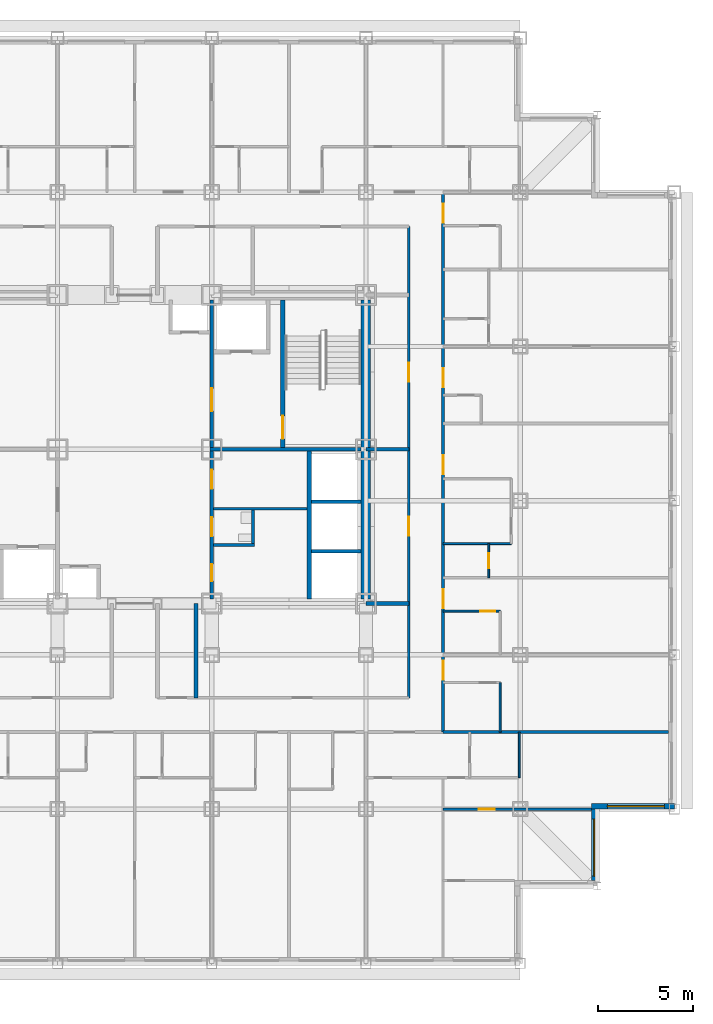
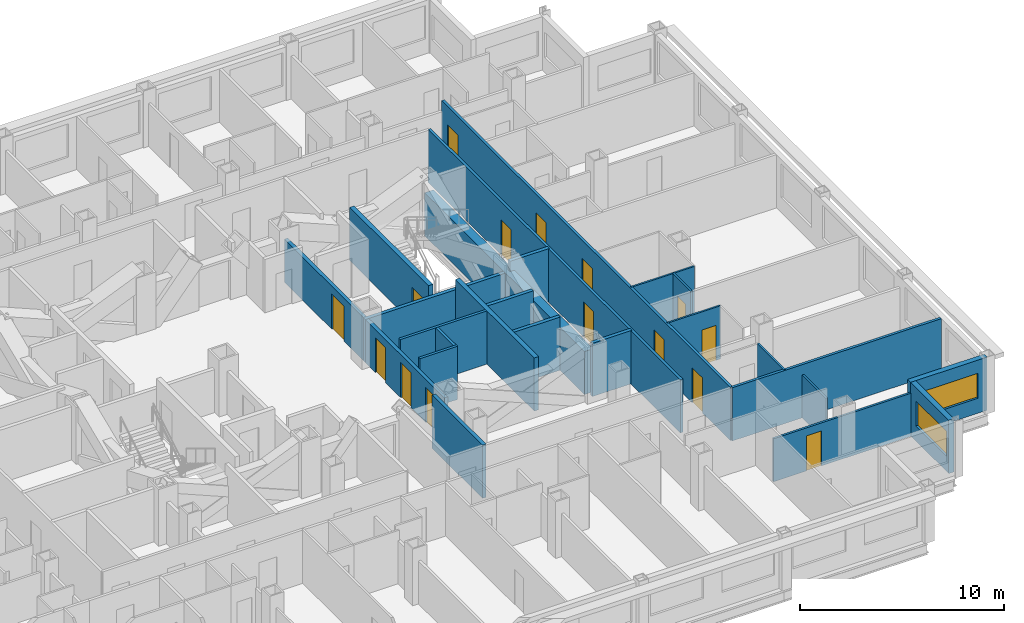
# One storey, part 8 of 14: 25 walls, 15 doors, 2 windows, 17 openings.
"""IFC4 building model written with IfcOpenShell, lengths in metres."""

from ifc_helpers import new_model, si_unit, direction, frame, frame_2d, origin, place, context, subcontext, project, spatial, rectangle, extrude, material, layer, layer_set, type_object, element, fill, save


model = new_model("IFC4")

# Units and contexts
model_context = context("Model", 3, precision=1e-05, world=origin(), true_north=direction((0.0, 1.0)))
body_context = subcontext(model_context, "Body", "Model", "MODEL_VIEW")
ifc_project = project(units=[si_unit("LENGTHUNIT", "METRE"), si_unit("AREAUNIT", "SQUARE_METRE"), si_unit("VOLUMEUNIT", "CUBIC_METRE"), si_unit("PLANEANGLEUNIT", "RADIAN"), si_unit("MASSUNIT", "GRAM", prefix="KILO")], contexts=[model_context])

# Site, building, storey
site_placement = place(None, origin())
site = spatial("IfcSite", under=ifc_project, at=site_placement, CompositionType="ELEMENT")
building_placement = place(site_placement, origin())
building = spatial("IfcBuilding", under=site, at=building_placement, Name="Kopane Lantern Tower", CompositionType="ELEMENT")
storey_placement = place(building_placement, frame((0.0, 0.0, 137.39990234375)))
storey = spatial("IfcBuildingStorey", under=building, at=storey_placement, Name="L35", CompositionType="ELEMENT", Elevation=137.39990234375)

# Wall, opening, door
ifc_material_1 = material(Name="Gypsum board on steel studs", Category="steel")
ifc_layer_1 = layer(ifc_material_1, 0.1201171875)
ifc_layer_set_1 = layer_set([ifc_layer_1], Name="APARTMENT INTERNAL WALL 120")
wall_type_1 = type_object("IfcWallType", Name="APARTMENT INTERNAL WALL 120", PredefinedType="PARTITIONING", material=ifc_layer_set_1)
wall_1_placement = place(storey_placement, frame((44.550048828125, 13.5, 0.0), z_axis=(0.0, 0.0, 1.0), x_axis=(1.0, 0.0, 0.0)))
wall_1 = element("IfcWall", 1, at=wall_1_placement, inside=storey, type_object=wall_type_1, Name="Apartment Internal Wall 120 L35", PredefinedType="PARTITIONING", context=body_context, shape_type="SweptSolid", body=[
    extrude(rectangle(XDim=7.800048828125, YDim=0.1201171875, at=frame_2d((3.89990234375, 0.0))), origin(), (0.0, 0.0, 1.0), 2.577880859375),
])
opening_1_placement = place(wall_1_placement, frame((1.875, 0.0, 0.0)))
opening_1 = element("IfcOpeningElement", 2, at=opening_1_placement, cuts=wall_1, Name="Opening L35-079", PredefinedType="OPENING", context=body_context, shape_type="SweptSolid", body=[
    extrude(rectangle(XDim=0.85009765625, YDim=2.10009765625, at=frame_2d((0.425048828125, 1.050048828125))), frame((0.0, 0.070068359375, 0.0), z_axis=(0.0, -1.0, 0.0), x_axis=(1.0, 0.0, 0.0)), (0.0, 0.0, 1.0), 0.14013671875),
])
ifc_material_2 = material(Name="Timber door set", Category="wood")
door_type_1 = type_object("IfcDoorType", Name="DOOR D4 850x2100", OperationType="SINGLE_SWING_LEFT", PredefinedType="DOOR", material=ifc_material_2)
door_1_placement = place(opening_1_placement, origin())
door_1 = element("IfcDoor", 3, at=door_1_placement, inside=storey, type_object=door_type_1, Name="Door L35-079", OperationType="SINGLE_SWING_LEFT", OverallHeight=2.10009765625, OverallWidth=0.85009765625, PredefinedType="DOOR", context=body_context, shape_type="SweptSolid", body=[
    extrude(rectangle(XDim=0.85009765625, YDim=2.10009765625, at=frame_2d((0.425048828125, 1.050048828125))), frame((0.0, 0.02490234375, 0.0), z_axis=(0.0, -1.0, 0.0), x_axis=(1.0, 0.0, 0.0)), (0.0, 0.0, 1.0), 0.050048828125),
])
fill(opening_1, door_1)

# Wall
ifc_material_3 = material(Name="Moisture-resistant board on steel studs", Category="steel")
ifc_layer_2 = layer(ifc_material_3, 0.10009765625)
ifc_layer_set_2 = layer_set([ifc_layer_2], Name="BATHROOM WALL 100")
wall_type_2 = type_object("IfcWallType", Name="BATHROOM WALL 100", PredefinedType="PARTITIONING", material=ifc_layer_set_2)
wall_2_placement = place(storey_placement, frame((47.550048828125, 17.550048828125, 0.0), z_axis=(0.0, 0.0, 1.0), x_axis=(0.0, 1.0, 0.0)))
element("IfcWall", 4, at=wall_2_placement, inside=storey, type_object=wall_type_2, Name="Bathroom Wall 100 L35", PredefinedType="PARTITIONING", context=body_context, shape_type="SweptSolid", body=[
    extrude(rectangle(XDim=2.599853515625, YDim=0.10009765625, at=frame_2d((1.2998046875, 0.0))), origin(), (0.0, 0.0, 1.0), 3.190185546875),
])

# Wall, opening, door
wall_3_placement = place(storey_placement, frame((44.550048828125, 23.89990234375, 0.0), z_axis=(0.0, 0.0, 1.0), x_axis=(1.0, 0.0, 0.0)))
wall_3 = element("IfcWall", 5, at=wall_3_placement, inside=storey, type_object=wall_type_2, Name="Bathroom Wall 100 L35", PredefinedType="PARTITIONING", context=body_context, shape_type="SweptSolid", body=[
    extrude(rectangle(XDim=3.0, YDim=0.10009765625, at=frame_2d((1.5, 0.0))), origin(), (0.0, 0.0, 1.0), 3.190185546875),
])
opening_2_placement = place(wall_3_placement, frame((1.949951171875, 0.0, 0.0)))
opening_2 = element("IfcOpeningElement", 6, at=opening_2_placement, cuts=wall_3, Name="Opening L35-059", PredefinedType="OPENING", context=body_context, shape_type="SweptSolid", body=[
    extrude(rectangle(XDim=0.800048828125, YDim=2.10009765625, at=frame_2d((0.39990234375, 1.050048828125))), frame((0.0, 0.06005859375, 0.0), z_axis=(0.0, -1.0, 0.0), x_axis=(1.0, 0.0, 0.0)), (0.0, 0.0, 1.0), 0.1201171875),
])
ifc_material_4 = material(Name="Timber door set", Category="wood")
door_type_2 = type_object("IfcDoorType", Name="DOOR D2 800x2100", OperationType="SINGLE_SWING_LEFT", PredefinedType="DOOR", material=ifc_material_4)
door_2_placement = place(opening_2_placement, origin())
door_2 = element("IfcDoor", 7, at=door_2_placement, inside=storey, type_object=door_type_2, Name="Door L35-059", OperationType="SINGLE_SWING_LEFT", OverallHeight=2.10009765625, OverallWidth=0.800048828125, PredefinedType="DOOR", context=body_context, shape_type="SweptSolid", body=[
    extrude(rectangle(XDim=0.800048828125, YDim=2.10009765625, at=frame_2d((0.39990234375, 1.050048828125))), frame((0.0, 0.02490234375, 0.0), z_axis=(0.0, -1.0, 0.0), x_axis=(1.0, 0.0, 0.0)), (0.0, 0.0, 1.0), 0.050048828125),
])
fill(opening_2, door_2)

wall_4_placement = place(storey_placement, frame((46.949951171875, 25.64990234375, 0.0), z_axis=(0.0, 0.0, 1.0), x_axis=(0.0, 1.0, 0.0)))
wall_4 = element("IfcWall", 8, at=wall_4_placement, inside=storey, type_object=wall_type_2, Name="Bathroom Wall 100 L35", PredefinedType="PARTITIONING", context=body_context, shape_type="SweptSolid", body=[
    extrude(rectangle(XDim=1.800048828125, YDim=0.10009765625, at=frame_2d((0.89990234375, 0.0))), origin(), (0.0, 0.0, 1.0), 3.190185546875),
])
opening_3_placement = place(wall_4_placement, frame((0.5, 0.0, 0.0)))
opening_3 = element("IfcOpeningElement", 9, at=opening_3_placement, cuts=wall_4, Name="Opening L35-062", PredefinedType="OPENING", context=body_context, shape_type="SweptSolid", body=[
    extrude(rectangle(XDim=0.800048828125, YDim=2.10009765625, at=frame_2d((0.39990234375, 1.050048828125))), frame((0.0, 0.06005859375, 0.0), z_axis=(0.0, -1.0, 0.0), x_axis=(1.0, 0.0, 0.0)), (0.0, 0.0, 1.0), 0.1201171875),
])
door_3_placement = place(opening_3_placement, origin())
door_3 = element("IfcDoor", 10, at=door_3_placement, inside=storey, type_object=door_type_2, Name="Door L35-062", OperationType="SINGLE_SWING_RIGHT", OverallHeight=2.10009765625, OverallWidth=0.800048828125, PredefinedType="DOOR", context=body_context, shape_type="SweptSolid", body=[
    extrude(rectangle(XDim=0.800048828125, YDim=2.10009765625, at=frame_2d((0.39990234375, 1.050048828125))), frame((0.0, 0.02490234375, 0.0), z_axis=(0.0, -1.0, 0.0), x_axis=(1.0, 0.0, 0.0)), (0.0, 0.0, 1.0), 0.050048828125),
])
fill(opening_3, door_3)

# Walls
wall_5_placement = place(storey_placement, frame((44.550048828125, 27.449951171875, 0.0), z_axis=(0.0, 0.0, 1.0), x_axis=(1.0, 0.0, 0.0)))
element("IfcWall", 11, at=wall_5_placement, inside=storey, type_object=wall_type_2, Name="Bathroom Wall 100 L35", PredefinedType="PARTITIONING", context=body_context, shape_type="SweptSolid", body=[
    extrude(rectangle(XDim=3.58984375, YDim=0.10009765625, at=frame_2d((1.794921875, 0.0))), origin(), (0.0, 0.0, 1.0), 3.190185546875),
])
wall_6_placement = place(storey_placement, frame((48.550048828125, 17.550048828125, 0.0), z_axis=(0.0, 0.0, 1.0), x_axis=(0.0, -1.0, 0.0)))
element("IfcWall", 12, at=wall_6_placement, inside=storey, type_object=wall_type_2, Name="Bathroom Wall 100 L35", PredefinedType="PARTITIONING", context=body_context, shape_type="SweptSolid", body=[
    extrude(rectangle(XDim=2.400146484375, YDim=0.10009765625, at=frame_2d((1.2001953125, 0.0))), origin(), (0.0, 0.0, 1.0), 2.577880859375),
])
ifc_material_5 = material(Name="Gypsum shaft wall EI 120", Category="gypsum")
ifc_layer_3 = layer(ifc_material_5, 0.5)
ifc_layer_set_3 = layer_set([ifc_layer_3], Name="CORE PERIMETER WALL 500 EI 120")
wall_type_3 = type_object("IfcWallType", Name="CORE PERIMETER WALL 500 EI 120", PredefinedType="SOLIDWALL", material=ifc_layer_set_3)
wall_7_placement = place(storey_placement, frame((40.5, 24.550048828125, 0.0), z_axis=(0.0, 0.0, 1.0), x_axis=(0.0, 1.0, 0.0)))
element("IfcWall", 13, at=wall_7_placement, inside=storey, type_object=wall_type_3, Name="Core shaft wall L35 PE", PredefinedType="SOLIDWALL", context=body_context, shape_type="SweptSolid", body=[
    extrude(rectangle(XDim=15.699951171875, YDim=0.5, at=frame_2d((7.85009765625, 0.0))), origin(), (0.0, 0.0, 1.0), 2.577880859375),
])
ifc_material_6 = material(Name="Gypsum partition EI 60", Category="gypsum")
ifc_layer_4 = layer(ifc_material_6, 0.14990234375)
ifc_layer_set_4 = layer_set([ifc_layer_4], Name="CORE ROOM PARTITION 150 EI 60")
wall_type_4 = type_object("IfcWallType", Name="CORE ROOM PARTITION 150 EI 60", PredefinedType="PARTITIONING", material=ifc_layer_set_4)
wall_8_placement = place(storey_placement, frame((32.5, 27.375, 0.0), z_axis=(0.0, 0.0, 1.0), x_axis=(1.0, 0.0, 0.0)))
element("IfcWall", 14, at=wall_8_placement, inside=storey, type_object=wall_type_4, Name="Core room partition L35 E1", PredefinedType="PARTITIONING", context=body_context, shape_type="SweptSolid", body=[
    extrude(rectangle(XDim=2.14990234375, YDim=0.14990234375, at=frame_2d((1.074951171875, 0.0))), origin(), (0.0, 0.0, 1.0), 3.190185546875),
])
wall_9_placement = place(storey_placement, frame((32.5, 29.27490234375, 0.0), z_axis=(0.0, 0.0, 1.0), x_axis=(1.0, 0.0, 0.0)))
element("IfcWall", 15, at=wall_9_placement, inside=storey, type_object=wall_type_4, Name="Core room partition L35 E2", PredefinedType="PARTITIONING", context=body_context, shape_type="SweptSolid", body=[
    extrude(rectangle(XDim=4.89990234375, YDim=0.14990234375, at=frame_2d((2.449951171875, 0.0))), origin(), (0.0, 0.0, 1.0), 3.190185546875),
])
wall_10_placement = place(storey_placement, frame((34.574951171875, 27.449951171875, 0.0), z_axis=(0.0, 0.0, 1.0), x_axis=(0.0, 1.0, 0.0)))
element("IfcWall", 16, at=wall_10_placement, inside=storey, type_object=wall_type_4, Name="Core room partition L35 EB1", PredefinedType="PARTITIONING", context=body_context, shape_type="SweptSolid", body=[
    extrude(rectangle(XDim=1.75, YDim=0.14990234375, at=frame_2d((0.875, 0.0))), origin(), (0.0, 0.0, 1.0), 3.190185546875),
])

# Wall, openings, doors
ifc_material_7 = material(Name="Gypsum partition EI 60", Category="gypsum")
ifc_layer_5 = layer(ifc_material_7, 0.199951171875)
ifc_layer_set_5 = layer_set([ifc_layer_5], Name="CORE ROOM WALL 200 EI 60")
wall_type_5 = type_object("IfcWallType", Name="CORE ROOM WALL 200 EI 60", PredefinedType="PARTITIONING", material=ifc_layer_set_5)
wall_11_placement = place(storey_placement, frame((32.39990234375, 24.550048828125, 0.0), z_axis=(0.0, 0.0, 1.0), x_axis=(0.0, 1.0, 0.0)))
wall_11 = element("IfcWall", 17, at=wall_11_placement, inside=storey, type_object=wall_type_5, Name="Core room wall L35 XE", PredefinedType="PARTITIONING", context=body_context, shape_type="SweptSolid", body=[
    extrude(rectangle(XDim=7.75, YDim=0.199951171875, at=frame_2d((3.875, 0.0))), origin(), (0.0, 0.0, 1.0), 2.577880859375),
])
opening_4_placement = place(wall_11_placement, frame((0.925048828125, 0.0, 0.0)))
opening_4 = element("IfcOpeningElement", 18, at=opening_4_placement, cuts=wall_11, Name="Opening 35.C20", PredefinedType="OPENING", context=body_context, shape_type="SweptSolid", body=[
    extrude(rectangle(XDim=0.89990234375, YDim=2.10009765625, at=frame_2d((0.449951171875, 1.050048828125))), frame((0.0, 0.10986328125, 0.0), z_axis=(0.0, -1.0, 0.0), x_axis=(1.0, 0.0, 0.0)), (0.0, 0.0, 1.0), 0.219970703125),
])
opening_5_placement = place(wall_11_placement, frame((3.27490234375, 0.0, 0.0)))
opening_5 = element("IfcOpeningElement", 19, at=opening_5_placement, cuts=wall_11, Name="Opening 35.C21", PredefinedType="OPENING", context=body_context, shape_type="SweptSolid", body=[
    extrude(rectangle(XDim=1.0, YDim=2.10009765625, at=frame_2d((0.5, 1.050048828125))), frame((0.0, 0.10986328125, 0.0), z_axis=(0.0, -1.0, 0.0), x_axis=(1.0, 0.0, 0.0)), (0.0, 0.0, 1.0), 0.219970703125),
])
opening_6_placement = place(wall_11_placement, frame((5.77490234375, 0.0, 0.0)))
opening_6 = element("IfcOpeningElement", 20, at=opening_6_placement, cuts=wall_11, Name="Opening 35.C22", PredefinedType="OPENING", context=body_context, shape_type="SweptSolid", body=[
    extrude(rectangle(XDim=1.0, YDim=2.10009765625, at=frame_2d((0.5, 1.050048828125))), frame((0.0, 0.10986328125, 0.0), z_axis=(0.0, -1.0, 0.0), x_axis=(1.0, 0.0, 0.0)), (0.0, 0.0, 1.0), 0.219970703125),
])
ifc_material_8 = material(Name="Steel door set", Category="steel")
door_type_3 = type_object("IfcDoorType", Name="CORE ROOM DOOR 1000x2100 FD30S", OperationType="SINGLE_SWING_RIGHT", PredefinedType="DOOR", material=ifc_material_8)
door_4_placement = place(opening_5_placement, origin())
door_4 = element("IfcDoor", 21, at=door_4_placement, inside=storey, type_object=door_type_3, Name="Door Staff WC L35", OperationType="SINGLE_SWING_LEFT", OverallHeight=2.10009765625, OverallWidth=1.0, PredefinedType="DOOR", context=body_context, shape_type="SweptSolid", body=[
    extrude(rectangle(XDim=1.0, YDim=2.10009765625, at=frame_2d((0.5, 1.050048828125))), frame((0.0, 0.02490234375, 0.0), z_axis=(0.0, -1.0, 0.0), x_axis=(1.0, 0.0, 0.0)), (0.0, 0.0, 1.0), 0.050048828125),
])
fill(opening_5, door_4)
door_5_placement = place(opening_6_placement, origin())
door_5 = element("IfcDoor", 22, at=door_5_placement, inside=storey, type_object=door_type_3, Name="Door Butler pantry L35", OperationType="SINGLE_SWING_RIGHT", OverallHeight=2.10009765625, OverallWidth=1.0, PredefinedType="DOOR", context=body_context, shape_type="SweptSolid", body=[
    extrude(rectangle(XDim=1.0, YDim=2.10009765625, at=frame_2d((0.5, 1.050048828125))), frame((0.0, 0.02490234375, 0.0), z_axis=(0.0, -1.0, 0.0), x_axis=(1.0, 0.0, 0.0)), (0.0, 0.0, 1.0), 0.050048828125),
])
fill(opening_6, door_5)
ifc_material_9 = material(Name="Steel door set", Category="steel")
door_type_4 = type_object("IfcDoorType", Name="CORE ROOM DOOR 900x2100 FD60", OperationType="SINGLE_SWING_LEFT", PredefinedType="DOOR", material=ifc_material_9)
door_6_placement = place(opening_4_placement, origin())
door_6 = element("IfcDoor", 23, at=door_6_placement, inside=storey, type_object=door_type_4, Name="Door Luggage store L35", OperationType="SINGLE_SWING_LEFT", OverallHeight=2.10009765625, OverallWidth=0.89990234375, PredefinedType="DOOR", context=body_context, shape_type="SweptSolid", body=[
    extrude(rectangle(XDim=0.89990234375, YDim=2.10009765625, at=frame_2d((0.449951171875, 1.050048828125))), frame((0.0, 0.02490234375, 0.0), z_axis=(0.0, -1.0, 0.0), x_axis=(1.0, 0.0, 0.0)), (0.0, 0.0, 1.0), 0.050048828125),
])
fill(opening_4, door_6)

# Wall
ifc_material_10 = material(Name="Gypsum shaft wall EI 120", Category="gypsum")
ifc_layer_6 = layer(ifc_material_10, 0.25)
ifc_layer_set_6 = layer_set([ifc_layer_6], Name="CORE SHAFT WALL 250 EI 120")
wall_type_6 = type_object("IfcWallType", Name="CORE SHAFT WALL 250 EI 120", PredefinedType="SOLIDWALL", material=ifc_layer_set_6)
wall_12_placement = place(storey_placement, frame((37.52490234375, 24.550048828125, 0.0), z_axis=(0.0, 0.0, 1.0), x_axis=(0.0, 1.0, 0.0)))
element("IfcWall", 24, at=wall_12_placement, inside=storey, type_object=wall_type_6, Name="Core shaft wall L35 XLR", PredefinedType="SOLIDWALL", context=body_context, shape_type="SweptSolid", body=[
    extrude(rectangle(XDim=7.75, YDim=0.25, at=frame_2d((3.875, 0.0))), origin(), (0.0, 0.0, 1.0), 3.190185546875),
])

# Wall, opening, door
wall_13_placement = place(storey_placement, frame((36.125, 32.5, 0.0), z_axis=(0.0, 0.0, 1.0), x_axis=(0.0, 1.0, 0.0)))
wall_13 = element("IfcWall", 25, at=wall_13_placement, inside=storey, type_object=wall_type_6, Name="Core shaft wall L35 XST2", PredefinedType="SOLIDWALL", context=body_context, shape_type="SweptSolid", body=[
    extrude(rectangle(XDim=7.75, YDim=0.25, at=frame_2d((3.875, 0.0))), origin(), (0.0, 0.0, 1.0), 3.190185546875),
])
opening_7_placement = place(wall_13_placement, frame((0.449951171875, 0.0, 0.0)))
opening_7 = element("IfcOpeningElement", 26, at=opening_7_placement, cuts=wall_13, Name="Opening 35.SD2", PredefinedType="OPENING", context=body_context, shape_type="SweptSolid", body=[
    extrude(rectangle(XDim=1.199951171875, YDim=2.10009765625, at=frame_2d((0.60009765625, 1.050048828125))), frame((0.0, 0.135009765625, 0.0), z_axis=(0.0, -1.0, 0.0), x_axis=(1.0, 0.0, 0.0)), (0.0, 0.0, 1.0), 0.27001953125),
])
ifc_material_11 = material(Name="Steel door set", Category="steel")
door_type_5 = type_object("IfcDoorType", Name="STAIR DOOR 1200x2100 FD60S", OperationType="SINGLE_SWING_LEFT", PredefinedType="DOOR", material=ifc_material_11)
door_7_placement = place(opening_7_placement, origin())
door_7 = element("IfcDoor", 27, at=door_7_placement, inside=storey, type_object=door_type_5, Name="Stair door ST2 L35", OperationType="SINGLE_SWING_RIGHT", OverallHeight=2.10009765625, OverallWidth=1.199951171875, PredefinedType="DOOR", context=body_context, shape_type="SweptSolid", body=[
    extrude(rectangle(XDim=1.199951171875, YDim=2.10009765625, at=frame_2d((0.60009765625, 1.050048828125))), frame((0.0, 0.02490234375, 0.0), z_axis=(0.0, -1.0, 0.0), x_axis=(1.0, 0.0, 0.0)), (0.0, 0.0, 1.0), 0.050048828125),
])
fill(opening_7, door_7)

# Wall, openings, doors
ifc_material_12 = material(Name="Gypsum board on steel studs", Category="steel")
ifc_layer_7 = layer(ifc_material_12, 0.14990234375)
ifc_layer_set_7 = layer_set([ifc_layer_7], Name="CORRIDOR WALL 150 EI 60")
wall_type_7 = type_object("IfcWallType", Name="CORRIDOR WALL 150 EI 60", PredefinedType="PARTITIONING", material=ifc_layer_set_7)
wall_14_placement = place(storey_placement, frame((44.550048828125, 17.550048828125, 0.0), z_axis=(0.0, 0.0, 1.0), x_axis=(0.0, 1.0, 0.0)))
wall_14 = element("IfcWall", 28, at=wall_14_placement, inside=storey, type_object=wall_type_7, Name="Corridor Wall 150 Ei 60 L35", PredefinedType="PARTITIONING", context=body_context, shape_type="SweptSolid", body=[
    extrude(rectangle(XDim=28.349853515625, YDim=0.14990234375, at=frame_2d((14.1748046875, 0.0))), origin(), (0.0, 0.0, 1.0), 3.190185546875),
])
opening_8_placement = place(wall_14_placement, frame((2.75, 0.0, 0.0)))
opening_8 = element("IfcOpeningElement", 29, at=opening_8_placement, cuts=wall_14, Name="Opening L35-058", PredefinedType="OPENING", context=body_context, shape_type="SweptSolid", body=[
    extrude(rectangle(XDim=1.0, YDim=2.10009765625, at=frame_2d((0.5, 1.050048828125))), frame((0.0, 0.0849609375, 0.0), z_axis=(0.0, -1.0, 0.0), x_axis=(1.0, 0.0, 0.0)), (0.0, 0.0, 1.0), 0.169921875),
])
opening_9_placement = place(wall_14_placement, frame((6.5, 0.0, 0.0)))
opening_9 = element("IfcOpeningElement", 30, at=opening_9_placement, cuts=wall_14, Name="Opening L35-060", PredefinedType="OPENING", context=body_context, shape_type="SweptSolid", body=[
    extrude(rectangle(XDim=1.0, YDim=2.10009765625, at=frame_2d((0.5, 1.050048828125))), frame((0.0, 0.0849609375, 0.0), z_axis=(0.0, -1.0, 0.0), x_axis=(1.0, 0.0, 0.0)), (0.0, 0.0, 1.0), 0.169921875),
])
opening_10_placement = place(wall_14_placement, frame((13.550048828125, 0.0, 0.0)))
opening_10 = element("IfcOpeningElement", 31, at=opening_10_placement, cuts=wall_14, Name="Opening L35-063", PredefinedType="OPENING", context=body_context, shape_type="SweptSolid", body=[
    extrude(rectangle(XDim=1.0, YDim=2.10009765625, at=frame_2d((0.5, 1.050048828125))), frame((0.0, 0.0849609375, 0.0), z_axis=(0.0, -1.0, 0.0), x_axis=(1.0, 0.0, 0.0)), (0.0, 0.0, 1.0), 0.169921875),
])
opening_11_placement = place(wall_14_placement, frame((18.10009765625, 0.0, 0.0)))
opening_11 = element("IfcOpeningElement", 32, at=opening_11_placement, cuts=wall_14, Name="Opening L35-065", PredefinedType="OPENING", context=body_context, shape_type="SweptSolid", body=[
    extrude(rectangle(XDim=1.0, YDim=2.10009765625, at=frame_2d((0.5, 1.050048828125))), frame((0.0, 0.0849609375, 0.0), z_axis=(0.0, -1.0, 0.0), x_axis=(1.0, 0.0, 0.0)), (0.0, 0.0, 1.0), 0.169921875),
])
opening_12_placement = place(wall_14_placement, frame((26.75, 0.0, 0.0)))
opening_12 = element("IfcOpeningElement", 33, at=opening_12_placement, cuts=wall_14, Name="Opening L35-069", PredefinedType="OPENING", context=body_context, shape_type="SweptSolid", body=[
    extrude(rectangle(XDim=1.0, YDim=2.10009765625, at=frame_2d((0.5, 1.050048828125))), frame((0.0, 0.0849609375, 0.0), z_axis=(0.0, -1.0, 0.0), x_axis=(1.0, 0.0, 0.0)), (0.0, 0.0, 1.0), 0.169921875),
])
ifc_material_13 = material(Name="Steel door set", Category="steel")
door_type_6 = type_object("IfcDoorType", Name="DOOR D1 1000x2100 FD30S", OperationType="SINGLE_SWING_LEFT", PredefinedType="DOOR", material=ifc_material_13)
door_8_placement = place(opening_8_placement, origin())
door_8 = element("IfcDoor", 34, at=door_8_placement, inside=storey, type_object=door_type_6, Name="Door L35-058", OperationType="SINGLE_SWING_RIGHT", OverallHeight=2.10009765625, OverallWidth=1.0, PredefinedType="DOOR", context=body_context, shape_type="SweptSolid", body=[
    extrude(rectangle(XDim=1.0, YDim=2.10009765625, at=frame_2d((0.5, 1.050048828125))), frame((0.0, 0.02490234375, 0.0), z_axis=(0.0, -1.0, 0.0), x_axis=(1.0, 0.0, 0.0)), (0.0, 0.0, 1.0), 0.050048828125),
])
fill(opening_8, door_8)
door_9_placement = place(opening_9_placement, origin())
door_9 = element("IfcDoor", 35, at=door_9_placement, inside=storey, type_object=door_type_6, Name="Door L35-060", OperationType="SINGLE_SWING_RIGHT", OverallHeight=2.10009765625, OverallWidth=1.0, PredefinedType="DOOR", context=body_context, shape_type="SweptSolid", body=[
    extrude(rectangle(XDim=1.0, YDim=2.10009765625, at=frame_2d((0.5, 1.050048828125))), frame((0.0, 0.02490234375, 0.0), z_axis=(0.0, -1.0, 0.0), x_axis=(1.0, 0.0, 0.0)), (0.0, 0.0, 1.0), 0.050048828125),
])
fill(opening_9, door_9)
door_10_placement = place(opening_10_placement, origin())
door_10 = element("IfcDoor", 36, at=door_10_placement, inside=storey, type_object=door_type_6, Name="Door L35-063", OperationType="SINGLE_SWING_RIGHT", OverallHeight=2.10009765625, OverallWidth=1.0, PredefinedType="DOOR", context=body_context, shape_type="SweptSolid", body=[
    extrude(rectangle(XDim=1.0, YDim=2.10009765625, at=frame_2d((0.5, 1.050048828125))), frame((0.0, 0.02490234375, 0.0), z_axis=(0.0, -1.0, 0.0), x_axis=(1.0, 0.0, 0.0)), (0.0, 0.0, 1.0), 0.050048828125),
])
fill(opening_10, door_10)
door_11_placement = place(opening_11_placement, origin())
door_11 = element("IfcDoor", 37, at=door_11_placement, inside=storey, type_object=door_type_6, Name="Door L35-065", OperationType="SINGLE_SWING_RIGHT", OverallHeight=2.10009765625, OverallWidth=1.0, PredefinedType="DOOR", context=body_context, shape_type="SweptSolid", body=[
    extrude(rectangle(XDim=1.0, YDim=2.10009765625, at=frame_2d((0.5, 1.050048828125))), frame((0.0, 0.02490234375, 0.0), z_axis=(0.0, -1.0, 0.0), x_axis=(1.0, 0.0, 0.0)), (0.0, 0.0, 1.0), 0.050048828125),
])
fill(opening_11, door_11)
door_12_placement = place(opening_12_placement, origin())
door_12 = element("IfcDoor", 38, at=door_12_placement, inside=storey, type_object=door_type_6, Name="Door L35-069", OperationType="SINGLE_SWING_RIGHT", OverallHeight=2.10009765625, OverallWidth=1.0, PredefinedType="DOOR", context=body_context, shape_type="SweptSolid", body=[
    extrude(rectangle(XDim=1.0, YDim=2.10009765625, at=frame_2d((0.5, 1.050048828125))), frame((0.0, 0.02490234375, 0.0), z_axis=(0.0, -1.0, 0.0), x_axis=(1.0, 0.0, 0.0)), (0.0, 0.0, 1.0), 0.050048828125),
])
fill(opening_12, door_12)

wall_15_placement = place(storey_placement, frame((42.75, 19.35009765625, 0.0), z_axis=(0.0, 0.0, 1.0), x_axis=(0.0, 1.0, 0.0)))
wall_15 = element("IfcWall", 39, at=wall_15_placement, inside=storey, type_object=wall_type_7, Name="Corridor Wall 150 Ei 60 L35", PredefinedType="PARTITIONING", context=body_context, shape_type="SweptSolid", body=[
    extrude(rectangle(XDim=24.75, YDim=0.14990234375, at=frame_2d((12.375, 0.0))), origin(), (0.0, 0.0, 1.0), 3.190185546875),
])
opening_13_placement = place(wall_15_placement, frame((8.5, 0.0, 0.0)))
opening_13 = element("IfcOpeningElement", 40, at=opening_13_placement, cuts=wall_15, Name="Opening L35-005", PredefinedType="OPENING", context=body_context, shape_type="SweptSolid", body=[
    extrude(rectangle(XDim=1.0, YDim=2.10009765625, at=frame_2d((0.5, 1.050048828125))), frame((0.0, 0.0849609375, 0.0), z_axis=(0.0, -1.0, 0.0), x_axis=(1.0, 0.0, 0.0)), (0.0, 0.0, 1.0), 0.169921875),
])
opening_14_placement = place(wall_15_placement, frame((16.60009765625, 0.0, 0.0)))
opening_14 = element("IfcOpeningElement", 41, at=opening_14_placement, cuts=wall_15, Name="Opening L35-006", PredefinedType="OPENING", context=body_context, shape_type="SweptSolid", body=[
    extrude(rectangle(XDim=1.0, YDim=2.10009765625, at=frame_2d((0.5, 1.050048828125))), frame((0.0, 0.0849609375, 0.0), z_axis=(0.0, -1.0, 0.0), x_axis=(1.0, 0.0, 0.0)), (0.0, 0.0, 1.0), 0.169921875),
])
ifc_material_14 = material(Name="Steel door set", Category="steel")
door_type_7 = type_object("IfcDoorType", Name="DOOR D5 1000x2100 FD60", OperationType="SINGLE_SWING_LEFT", PredefinedType="DOOR", material=ifc_material_14)
door_13_placement = place(opening_13_placement, origin())
door_13 = element("IfcDoor", 42, at=door_13_placement, inside=storey, type_object=door_type_7, Name="Door L35-005", OperationType="SINGLE_SWING_LEFT", OverallHeight=2.10009765625, OverallWidth=1.0, PredefinedType="DOOR", context=body_context, shape_type="SweptSolid", body=[
    extrude(rectangle(XDim=1.0, YDim=2.10009765625, at=frame_2d((0.5, 1.050048828125))), frame((0.0, 0.02490234375, 0.0), z_axis=(0.0, -1.0, 0.0), x_axis=(1.0, 0.0, 0.0)), (0.0, 0.0, 1.0), 0.050048828125),
])
fill(opening_13, door_13)
door_14_placement = place(opening_14_placement, origin())
door_14 = element("IfcDoor", 43, at=door_14_placement, inside=storey, type_object=door_type_7, Name="Door L35-006", OperationType="SINGLE_SWING_RIGHT", OverallHeight=2.10009765625, OverallWidth=1.0, PredefinedType="DOOR", context=body_context, shape_type="SweptSolid", body=[
    extrude(rectangle(XDim=1.0, YDim=2.10009765625, at=frame_2d((0.5, 1.050048828125))), frame((0.0, 0.02490234375, 0.0), z_axis=(0.0, -1.0, 0.0), x_axis=(1.0, 0.0, 0.0)), (0.0, 0.0, 1.0), 0.050048828125),
])
fill(opening_14, door_14)

# Wall
ifc_material_15 = material(Name="Gypsum board on steel studs", Category="steel")
ifc_layer_8 = layer(ifc_material_15, 0.14990234375)
ifc_layer_set_8 = layer_set([ifc_layer_8], Name="DEMISING WALL 150 EI 60")
wall_type_8 = type_object("IfcWallType", Name="DEMISING WALL 150 EI 60", PredefinedType="PARTITIONING", material=ifc_layer_set_8)
wall_16_placement = place(storey_placement, frame((44.550048828125, 17.550048828125, 0.0), z_axis=(0.0, 0.0, 1.0), x_axis=(1.0, 0.0, 0.0)))
element("IfcWall", 44, at=wall_16_placement, inside=storey, type_object=wall_type_8, Name="Demising Wall 150 Ei 60 L35", PredefinedType="PARTITIONING", context=body_context, shape_type="SweptSolid", body=[
    extrude(rectangle(XDim=11.849853515625, YDim=0.14990234375, at=frame_2d((5.9248046875, 0.0))), origin(), (0.0, 0.0, 1.0), 3.190185546875),
])

# Wall, opening, window
ifc_material_16 = material(Name="Terracotta rainscreen on light steel framing", Category="masonry")
ifc_layer_9 = layer(ifc_material_16, 0.300048828125)
ifc_layer_set_9 = layer_set([ifc_layer_9], Name="EXTERNAL WALL EW1 300 TERRACOTTA")
wall_type_9 = type_object("IfcWallType", Name="EXTERNAL WALL EW1 300 TERRACOTTA", PredefinedType="SOLIDWALL", material=ifc_layer_set_9)
wall_17_placement = place(storey_placement, frame((52.5, 9.75, 0.0), z_axis=(0.0, 0.0, 1.0), x_axis=(0.0, 1.0, 0.0)))
wall_17 = element("IfcWall", 45, at=wall_17_placement, inside=storey, type_object=wall_type_9, Name="External wall E L35", PredefinedType="SOLIDWALL", context=body_context, shape_type="SweptSolid", body=[
    extrude(rectangle(XDim=3.75, YDim=0.300048828125, at=frame_2d((1.875, 0.0))), origin(), (0.0, 0.0, 1.0), 3.190185546875),
])
opening_15_placement = place(wall_17_placement, frame((0.22509765625, 0.0, 0.89990234375)))
opening_15 = element("IfcOpeningElement", 46, at=opening_15_placement, cuts=wall_17, Name="Opening WR300150", PredefinedType="OPENING", context=body_context, shape_type="SweptSolid", body=[
    extrude(rectangle(XDim=3.0, YDim=1.5, at=frame_2d((1.5, 0.75))), frame((0.0, 0.159912109375, 0.0), z_axis=(0.0, -1.0, 0.0), x_axis=(1.0, 0.0, 0.0)), (0.0, 0.0, 1.0), 0.320068359375),
])
ifc_material_17 = material(Name="Aluminium and clear glass", Category="aluminium")
window_type = type_object("IfcWindowType", Name="RIBBON WINDOW WR300150 3000x1500", PartitioningType="SINGLE_PANEL", PredefinedType="WINDOW", material=ifc_material_17)
window_1_placement = place(opening_15_placement, origin())
window_1 = element("IfcWindow", 47, at=window_1_placement, inside=storey, type_object=window_type, Name="Window E L35", OverallHeight=1.5, OverallWidth=3.0, PartitioningType="SINGLE_PANEL", PredefinedType="WINDOW", context=body_context, shape_type="SweptSolid", body=[
    extrude(rectangle(XDim=3.0, YDim=1.5, at=frame_2d((1.5, 0.75))), frame((0.0, 0.030029296875, 0.0), z_axis=(0.0, -1.0, 0.0), x_axis=(1.0, 0.0, 0.0)), (0.0, 0.0, 1.0), 0.06005859375),
])
fill(opening_15, window_1)

wall_18_placement = place(storey_placement, frame((52.35009765625, 13.64990234375, 0.0), z_axis=(0.0, 0.0, 1.0), x_axis=(1.0, 0.0, 0.0)))
wall_18 = element("IfcWall", 48, at=wall_18_placement, inside=storey, type_object=wall_type_9, Name="External wall S L35", PredefinedType="SOLIDWALL", context=body_context, shape_type="SweptSolid", body=[
    extrude(rectangle(XDim=4.349853515625, YDim=0.300048828125, at=frame_2d((2.1748046875, 0.0))), origin(), (0.0, 0.0, 1.0), 3.190185546875),
])
opening_16_placement = place(wall_18_placement, frame((0.824951171875, 0.0, 0.89990234375)))
opening_16 = element("IfcOpeningElement", 49, at=opening_16_placement, cuts=wall_18, Name="Opening WR300150", PredefinedType="OPENING", context=body_context, shape_type="SweptSolid", body=[
    extrude(rectangle(XDim=3.0, YDim=1.5, at=frame_2d((1.5, 0.75))), frame((0.0, 0.159912109375, 0.0), z_axis=(0.0, -1.0, 0.0), x_axis=(1.0, 0.0, 0.0)), (0.0, 0.0, 1.0), 0.320068359375),
])
window_2_placement = place(opening_16_placement, origin())
window_2 = element("IfcWindow", 50, at=window_2_placement, inside=storey, type_object=window_type, Name="Window S L35", OverallHeight=1.5, OverallWidth=3.0, PartitioningType="SINGLE_PANEL", PredefinedType="WINDOW", context=body_context, shape_type="SweptSolid", body=[
    extrude(rectangle(XDim=3.0, YDim=1.5, at=frame_2d((1.5, 0.75))), frame((0.0, 0.030029296875, 0.0), z_axis=(0.0, -1.0, 0.0), x_axis=(1.0, 0.0, 0.0)), (0.0, 0.0, 1.0), 0.06005859375),
])
fill(opening_16, window_2)

# Walls
ifc_material_18 = material(Name="Concrete masonry", Category="masonry")
ifc_layer_10 = layer(ifc_material_18, 0.199951171875)
ifc_layer_set_10 = layer_set([ifc_layer_10], Name="PLANT ROOM WALL 200 EI 120")
wall_type_10 = type_object("IfcWallType", Name="PLANT ROOM WALL 200 EI 120", PredefinedType="SOLIDWALL", material=ifc_layer_set_10)
wall_19_placement = place(storey_placement, frame((40.5, 32.39990234375, 0.0), z_axis=(0.0, 0.0, 1.0), x_axis=(1.0, 0.0, 0.0)))
element("IfcWall", 51, at=wall_19_placement, inside=storey, type_object=wall_type_10, Name="Plant Room Wall 200 Ei 120 L35", PredefinedType="SOLIDWALL", context=body_context, shape_type="SweptSolid", body=[
    extrude(rectangle(XDim=2.25, YDim=0.199951171875, at=frame_2d((1.125, 0.0))), origin(), (0.0, 0.0, 1.0), 3.190185546875),
])
wall_20_placement = place(storey_placement, frame((31.5703125, 19.35009765625, 0.0), z_axis=(0.0, 0.0, 1.0), x_axis=(0.0, 1.0, 0.0)))
element("IfcWall", 52, at=wall_20_placement, inside=storey, type_object=wall_type_10, Name="Plant Room Wall 200 Ei 120 L35", PredefinedType="SOLIDWALL", context=body_context, shape_type="SweptSolid", body=[
    extrude(rectangle(XDim=4.949951171875, YDim=0.199951171875, at=frame_2d((2.47509765625, 0.0))), origin(), (0.0, 0.0, 1.0), 3.190185546875),
])
wall_21_placement = place(storey_placement, frame((40.5, 24.300048828125, 0.0), z_axis=(0.0, 0.0, 1.0), x_axis=(1.0, 0.0, 0.0)))
element("IfcWall", 53, at=wall_21_placement, inside=storey, type_object=wall_type_10, Name="Plant Room Wall 200 Ei 120 L35", PredefinedType="SOLIDWALL", context=body_context, shape_type="SweptSolid", body=[
    extrude(rectangle(XDim=2.25, YDim=0.199951171875, at=frame_2d((1.125, 0.0))), origin(), (0.0, 0.0, 1.0), 3.190185546875),
])
ifc_material_19 = material(Name="Gypsum shaft wall EI 120", Category="gypsum")
ifc_layer_11 = layer(ifc_material_19, 0.199951171875)
ifc_layer_set_11 = layer_set([ifc_layer_11], Name="SHAFT WALL 200 EI 120")
wall_type_11 = type_object("IfcWallType", Name="SHAFT WALL 200 EI 120", PredefinedType="SOLIDWALL", material=ifc_layer_set_11)
wall_22_placement = place(storey_placement, frame((32.300048828125, 32.39990234375, 0.0), z_axis=(0.0, 0.0, 1.0), x_axis=(1.0, 0.0, 0.0)))
element("IfcWall", 54, at=wall_22_placement, inside=storey, type_object=wall_type_11, Name="Core shaft wall L35 Y324E", PredefinedType="SOLIDWALL", context=body_context, shape_type="SweptSolid", body=[
    extrude(rectangle(XDim=7.949951171875, YDim=0.199951171875, at=frame_2d((3.97509765625, 0.0))), origin(), (0.0, 0.0, 1.0), 2.577880859375),
])

# Wall, opening, door
wall_23_placement = place(storey_placement, frame((32.39990234375, 32.5, 0.0), z_axis=(0.0, 0.0, 1.0), x_axis=(0.0, 1.0, 0.0)))
wall_23 = element("IfcWall", 55, at=wall_23_placement, inside=storey, type_object=wall_type_11, Name="Core shaft wall L35 X324", PredefinedType="SOLIDWALL", context=body_context, shape_type="SweptSolid", body=[
    extrude(rectangle(XDim=7.75, YDim=0.199951171875, at=frame_2d((3.875, 0.0))), origin(), (0.0, 0.0, 1.0), 2.577880859375),
])
opening_17_placement = place(wall_23_placement, frame((1.89990234375, 0.0, 0.0)))
opening_17 = element("IfcOpeningElement", 56, at=opening_17_placement, cuts=wall_23, Name="Opening 35.FL2", PredefinedType="OPENING", context=body_context, shape_type="SweptSolid", body=[
    extrude(rectangle(XDim=1.199951171875, YDim=2.10009765625, at=frame_2d((0.60009765625, 1.050048828125))), frame((0.0, 0.10986328125, 0.0), z_axis=(0.0, -1.0, 0.0), x_axis=(1.0, 0.0, 0.0)), (0.0, 0.0, 1.0), 0.219970703125),
])
ifc_material_20 = material(Name="Steel door set", Category="steel")
door_type_8 = type_object("IfcDoorType", Name="FIREFIGHTING LOBBY DOOR 1200x2100 FD60S", OperationType="SINGLE_SWING_RIGHT", PredefinedType="DOOR", material=ifc_material_20)
door_15_placement = place(opening_17_placement, origin())
door_15 = element("IfcDoor", 57, at=door_15_placement, inside=storey, type_object=door_type_8, Name="Firefighting lobby door FL2 L35", OperationType="SINGLE_SWING_LEFT", OverallHeight=2.10009765625, OverallWidth=1.199951171875, PredefinedType="DOOR", context=body_context, shape_type="SweptSolid", body=[
    extrude(rectangle(XDim=1.199951171875, YDim=2.10009765625, at=frame_2d((0.60009765625, 1.050048828125))), frame((0.0, 0.02490234375, 0.0), z_axis=(0.0, -1.0, 0.0), x_axis=(1.0, 0.0, 0.0)), (0.0, 0.0, 1.0), 0.050048828125),
])
fill(opening_17, door_15)

# Walls
for number, where, z_axis, x_axis, name in (
    (58, (37.64990234375, 27.050048828125, 0.0), (0.0, 0.0, 1.0), (1.0, 0.0, 0.0), "Core shaft wall L35 YLR12"),
    (59, (37.64990234375, 29.64990234375, 0.0), (0.0, 0.0, 1.0), (1.0, 0.0, 0.0), "Core shaft wall L35 YLR23"),
):
    element("IfcWall", number, at=place(storey_placement, frame(where, z_axis=z_axis, x_axis=x_axis)), inside=storey, type_object=wall_type_11, Name=name, PredefinedType="SOLIDWALL", context=body_context, shape_type="SweptSolid", body=[
        extrude(rectangle(XDim=2.60009765625, YDim=0.199951171875, at=frame_2d((1.300048828125, 0.0))), origin(), (0.0, 0.0, 1.0), 3.190185546875),
    ])

save(model, "model.ifc")
